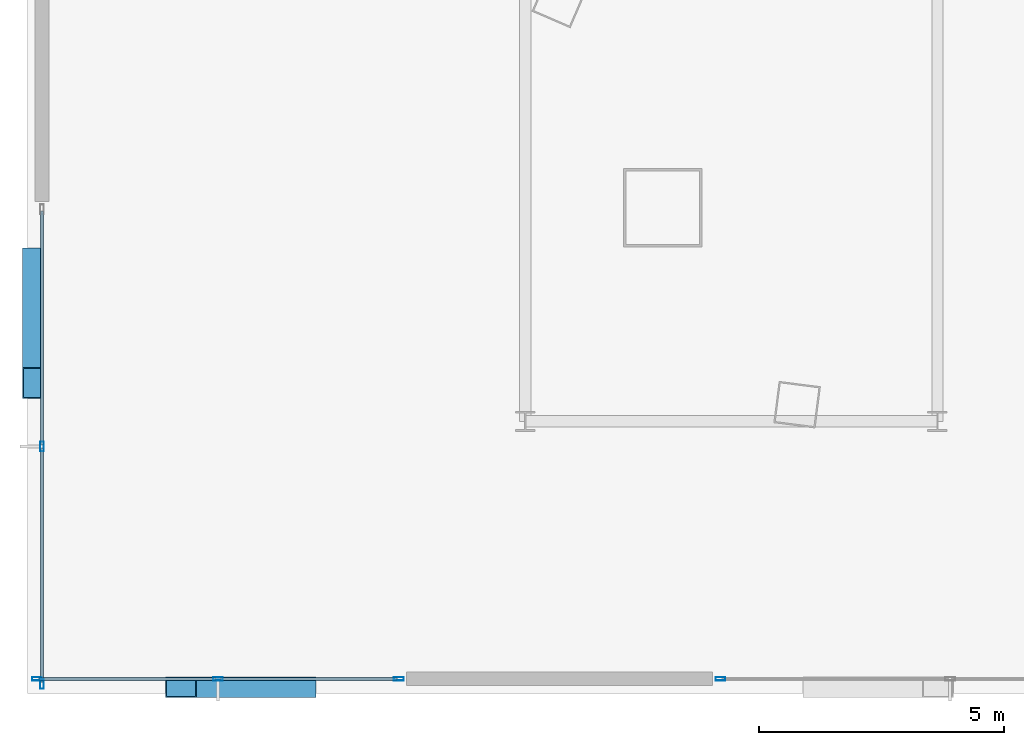
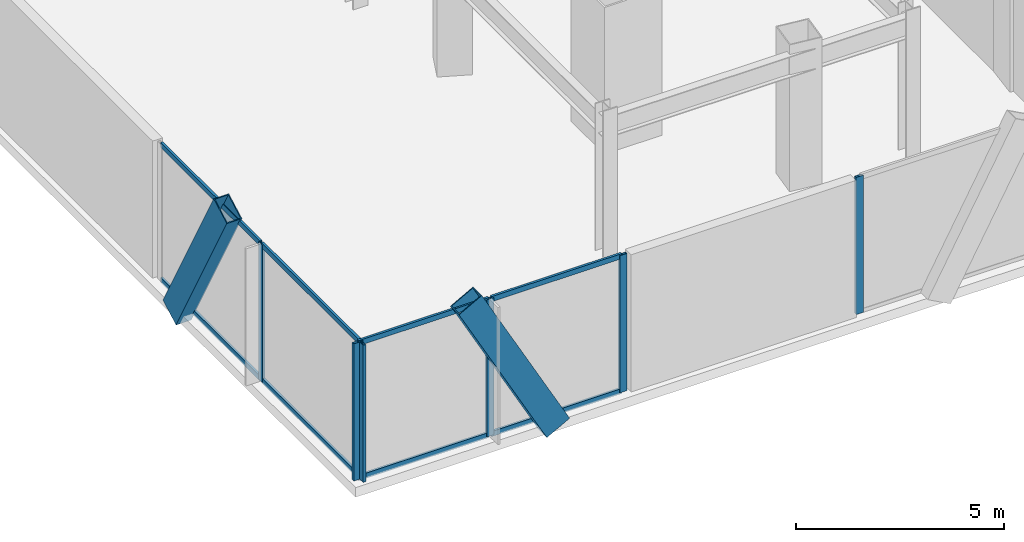
# One storey, part 5 of 42: 16 members, 3 elements without a shape of their own.
"""IFC4 building model written with IfcOpenShell, lengths in metres."""

from ifc_helpers import new_model, si_unit, direction, frame, origin, origin_2d, place, context, subcontext, project, spatial, hollow_rectangle, extrude, material, layer, layer_set, material_profile, profile_set, type_object, element, aggregate, save


model = new_model("IFC4")

# Units and contexts
model_context = context("Model", 3, precision=1e-05, world=origin(), true_north=direction((0.0, 1.0)))
body_context = subcontext(model_context, "Body", "Model", "MODEL_VIEW")
ifc_project = project(units=[si_unit("LENGTHUNIT", "METRE"), si_unit("AREAUNIT", "SQUARE_METRE"), si_unit("VOLUMEUNIT", "CUBIC_METRE"), si_unit("PLANEANGLEUNIT", "RADIAN"), si_unit("MASSUNIT", "GRAM", prefix="KILO")], contexts=[model_context])

# Site, building, storey
site_placement = place(None, origin())
site = spatial("IfcSite", under=ifc_project, at=site_placement, CompositionType="ELEMENT")
building_placement = place(site_placement, origin())
building = spatial("IfcBuilding", under=site, at=building_placement, Name="Orvanel Arch Residences", CompositionType="ELEMENT")
storey_placement = place(building_placement, frame((0.0, 0.0, 9.800048828125)))
storey = spatial("IfcBuildingStorey", under=building, at=storey_placement, Name="L02", CompositionType="ELEMENT", Elevation=9.800048828125)

# Members
ifc_material_1 = material(Name="Structural steel AS/NZS 3678 Grade 350", Category="steel")
ifc_material_profile_1 = material_profile(ifc_material_1, hollow_rectangle(XDim=0.419921875, YDim=0.719970703125, WallThickness=0.02490234375, at=origin_2d()), Name="RHS720x420x25")
ifc_profile_set_1 = profile_set([ifc_material_profile_1], Name="Structural steel AS/NZS 3678 Grade 350")
member_type_1 = type_object("IfcMemberType", Name="BR-720RHS-EXT", PredefinedType="BRACE", material=ifc_profile_set_1)
for number, where, z_axis, x_axis, name in (
    (1, (6.819091796875, 0.580078125, -0.150146484375), (-0.480018403674, 0.0, 0.877258418104), (0.0, -1.0, 0.0), "L02 Podium Multi-Storey V-Strut Pair SW Leg 1"),
    (2, (1.360107421875, 9.218994140625, -0.150146484375), (0.0, -0.480018403674, 0.877258418104), (1.0, 0.0, 0.0), "L02 Podium Multi-Storey V-Strut Pair W1 Leg 1"),
):
    element("IfcMember", number, at=place(storey_placement, frame(where, z_axis=z_axis, x_axis=x_axis)), inside=storey, type_object=member_type_1, Name=name, PredefinedType="BRACE", context=body_context, shape_type="SweptSolid", body=[
        extrude(hollow_rectangle(XDim=0.419921875, YDim=0.719970703125, WallThickness=0.02490234375, at=origin_2d()), origin(), (0.0, 0.0, 1.0), 5.07275390625),
    ])

# Curtain wall, members
ifc_material_2 = material(Name="Bronze-anodised aluminium AA6063-T6", Category="aluminium")
ifc_layer = layer(ifc_material_2, 0.199951171875)
ifc_layer_set = layer_set([ifc_layer], Name="Bronze-anodised aluminium AA6063-T6")
curtain_wall_type = type_object("IfcCurtainWallType", Name="CW1-POD-SYS", PredefinedType="NOTDEFINED", material=ifc_layer_set)
curtain_wall_1_placement = place(storey_placement, origin())
curtain_wall_1 = element("IfcCurtainWall", 3, at=curtain_wall_1_placement, inside=storey, type_object=curtain_wall_type, Name="L02 CW1-POD-SYS Unitised Curtain Wall", PredefinedType="NOTDEFINED")
ifc_material_profile_2 = material_profile(ifc_material_2, hollow_rectangle(XDim=0.074951171875, YDim=0.199951171875, WallThickness=0.0048828125, at=origin_2d()), Name="ALU200x75x5")
ifc_profile_set_2 = profile_set([ifc_material_profile_2], Name="Bronze-anodised aluminium AA6063-T6")
member_type_2 = type_object("IfcMemberType", Name="MUL-200x75", PredefinedType="MULLION", material=ifc_profile_set_2)
member_1_placement = place(storey_placement, frame((1.447509765625, 0.75, 0.0), z_axis=(0.0, 0.0, 1.0), x_axis=(0.0, 1.0, 0.0)))
member_1 = element("IfcMember", 4, at=member_1_placement, type_object=member_type_2, Name="CW-S1 mullion 1", PredefinedType="MULLION", context=body_context, shape_type="SweptSolid", body=[
    extrude(hollow_rectangle(XDim=0.074951171875, YDim=0.199951171875, WallThickness=0.0048828125, at=origin_2d()), origin(), (0.0, 0.0, 1.0), 4.02001953125),
])
member_2_placement = place(storey_placement, frame((5.135009765625, 0.75, 0.0), z_axis=(0.0, 0.0, 1.0), x_axis=(0.0, 1.0, 0.0)))
member_2 = element("IfcMember", 5, at=member_2_placement, type_object=member_type_2, Name="CW-S1 mullion 2", PredefinedType="MULLION", context=body_context, shape_type="SweptSolid", body=[
    extrude(hollow_rectangle(XDim=0.074951171875, YDim=0.199951171875, WallThickness=0.0048828125, at=origin_2d()), origin(), (0.0, 0.0, 1.0), 4.02001953125),
])
member_3_placement = place(storey_placement, frame((8.822509765625, 0.75, 0.0), z_axis=(0.0, 0.0, 1.0), x_axis=(0.0, 1.0, 0.0)))
member_3 = element("IfcMember", 6, at=member_3_placement, type_object=member_type_2, Name="CW-S1 mullion 3", PredefinedType="MULLION", context=body_context, shape_type="SweptSolid", body=[
    extrude(hollow_rectangle(XDim=0.074951171875, YDim=0.199951171875, WallThickness=0.0048828125, at=origin_2d()), origin(), (0.0, 0.0, 1.0), 4.02001953125),
])

# Curtain wall, member
curtain_wall_2_placement = place(storey_placement, origin())
curtain_wall_2 = element("IfcCurtainWall", 7, at=curtain_wall_2_placement, inside=storey, type_object=curtain_wall_type, Name="L02 CW1-POD-SYS Unitised Curtain Wall", PredefinedType="NOTDEFINED")
member_4_placement = place(storey_placement, frame((15.37744140625, 0.75, 0.0), z_axis=(0.0, 0.0, 1.0), x_axis=(0.0, 1.0, 0.0)))
member_4 = element("IfcMember", 8, at=member_4_placement, type_object=member_type_2, Name="CW-S1 mullion 1", PredefinedType="MULLION", context=body_context, shape_type="SweptSolid", body=[
    extrude(hollow_rectangle(XDim=0.074951171875, YDim=0.199951171875, WallThickness=0.0048828125, at=origin_2d()), origin(), (0.0, 0.0, 1.0), 4.02001953125),
])
aggregate(curtain_wall_2, [member_4])

# Curtain wall, members
curtain_wall_3_placement = place(storey_placement, origin())
curtain_wall_3 = element("IfcCurtainWall", 9, at=curtain_wall_3_placement, inside=storey, type_object=curtain_wall_type, Name="L02 CW1-POD-SYS Unitised Curtain Wall", PredefinedType="NOTDEFINED")
member_5_placement = place(storey_placement, frame((1.550048828125, 5.485107421875, 0.0), z_axis=(0.0, 0.0, 1.0), x_axis=(1.0, 0.0, 0.0)))
member_5 = element("IfcMember", 10, at=member_5_placement, type_object=member_type_2, Name="CW-S1 mullion 2", PredefinedType="MULLION", context=body_context, shape_type="SweptSolid", body=[
    extrude(hollow_rectangle(XDim=0.074951171875, YDim=0.199951171875, WallThickness=0.0048828125, at=origin_2d()), origin(), (0.0, 0.0, 1.0), 4.02001953125),
])
member_6_placement = place(storey_placement, frame((1.550048828125, 0.6474609375, 0.0), z_axis=(0.0, 0.0, 1.0), x_axis=(1.0, 0.0, 0.0)))
member_6 = element("IfcMember", 11, at=member_6_placement, type_object=member_type_2, Name="CW-S1 mullion 3", PredefinedType="MULLION", context=body_context, shape_type="SweptSolid", body=[
    extrude(hollow_rectangle(XDim=0.074951171875, YDim=0.199951171875, WallThickness=0.0048828125, at=origin_2d()), origin(), (0.0, 0.0, 1.0), 4.02001953125),
])

# Member
ifc_material_profile_3 = material_profile(ifc_material_2, hollow_rectangle(XDim=0.06494140625, YDim=0.14990234375, WallThickness=0.00390625, at=origin_2d()), Name="ALU150x65x4")
ifc_profile_set_3 = profile_set([ifc_material_profile_3], Name="Bronze-anodised aluminium AA6063-T6")
member_type_3 = type_object("IfcMemberType", Name="TRN-150x65", PredefinedType="USERDEFINED", material=ifc_profile_set_3)
member_7_placement = place(storey_placement, frame((1.485107421875, 0.75, 0.032470703125), z_axis=(1.0, 0.0, 0.0), x_axis=(0.0, 1.0, 0.0)))
member_7 = element("IfcMember", 12, at=member_7_placement, type_object=member_type_3, Name="CW-S1 transom 1.1", ObjectType="TRANSOM", PredefinedType="USERDEFINED", context=body_context, shape_type="SweptSolid", body=[
    extrude(hollow_rectangle(XDim=0.06494140625, YDim=0.14990234375, WallThickness=0.00390625, at=origin_2d()), origin(), (0.0, 0.0, 1.0), 3.6123046875),
])

member_8_placement = place(storey_placement, frame((1.485107421875, 0.75, 3.987548828125), z_axis=(1.0, 0.0, 0.0), x_axis=(0.0, 1.0, 0.0)))
member_8 = element("IfcMember", 13, at=member_8_placement, type_object=member_type_3, Name="CW-S1 transom 1.2", ObjectType="TRANSOM", PredefinedType="USERDEFINED", context=body_context, shape_type="SweptSolid", body=[
    extrude(hollow_rectangle(XDim=0.06494140625, YDim=0.14990234375, WallThickness=0.00390625, at=origin_2d()), origin(), (0.0, 0.0, 1.0), 3.6123046875),
])

member_9_placement = place(storey_placement, frame((5.172607421875, 0.75, 0.032470703125), z_axis=(1.0, 0.0, 0.0), x_axis=(0.0, 1.0, 0.0)))
member_9 = element("IfcMember", 14, at=member_9_placement, type_object=member_type_3, Name="CW-S1 transom 2.1", ObjectType="TRANSOM", PredefinedType="USERDEFINED", context=body_context, shape_type="SweptSolid", body=[
    extrude(hollow_rectangle(XDim=0.06494140625, YDim=0.14990234375, WallThickness=0.00390625, at=origin_2d()), origin(), (0.0, 0.0, 1.0), 3.6123046875),
])

member_10_placement = place(storey_placement, frame((5.172607421875, 0.75, 3.987548828125), z_axis=(1.0, 0.0, 0.0), x_axis=(0.0, 1.0, 0.0)))
member_10 = element("IfcMember", 15, at=member_10_placement, type_object=member_type_3, Name="CW-S1 transom 2.2", ObjectType="TRANSOM", PredefinedType="USERDEFINED", context=body_context, shape_type="SweptSolid", body=[
    extrude(hollow_rectangle(XDim=0.06494140625, YDim=0.14990234375, WallThickness=0.00390625, at=origin_2d()), origin(), (0.0, 0.0, 1.0), 3.6123046875),
])

aggregate(curtain_wall_1, [member_1, member_2, member_3, member_7, member_8, member_9, member_10])

member_11_placement = place(storey_placement, frame((1.550048828125, 10.284912109375, 0.032470703125), z_axis=(0.0, -1.0, 0.0), x_axis=(1.0, 0.0, 0.0)))
member_11 = element("IfcMember", 16, at=member_11_placement, type_object=member_type_3, Name="CW-S1 transom 1.1", ObjectType="TRANSOM", PredefinedType="USERDEFINED", context=body_context, shape_type="SweptSolid", body=[
    extrude(hollow_rectangle(XDim=0.06494140625, YDim=0.14990234375, WallThickness=0.00390625, at=origin_2d()), origin(), (0.0, 0.0, 1.0), 4.762451171875),
])

member_12_placement = place(storey_placement, frame((1.550048828125, 10.284912109375, 3.987548828125), z_axis=(0.0, -1.0, 0.0), x_axis=(1.0, 0.0, 0.0)))
member_12 = element("IfcMember", 17, at=member_12_placement, type_object=member_type_3, Name="CW-S1 transom 1.2", ObjectType="TRANSOM", PredefinedType="USERDEFINED", context=body_context, shape_type="SweptSolid", body=[
    extrude(hollow_rectangle(XDim=0.06494140625, YDim=0.14990234375, WallThickness=0.00390625, at=origin_2d()), origin(), (0.0, 0.0, 1.0), 4.762451171875),
])

member_13_placement = place(storey_placement, frame((1.550048828125, 5.447509765625, 0.032470703125), z_axis=(0.0, -1.0, 0.0), x_axis=(1.0, 0.0, 0.0)))
member_13 = element("IfcMember", 18, at=member_13_placement, type_object=member_type_3, Name="CW-S1 transom 2.1", ObjectType="TRANSOM", PredefinedType="USERDEFINED", context=body_context, shape_type="SweptSolid", body=[
    extrude(hollow_rectangle(XDim=0.06494140625, YDim=0.14990234375, WallThickness=0.00390625, at=origin_2d()), origin(), (0.0, 0.0, 1.0), 4.762451171875),
])

member_14_placement = place(storey_placement, frame((1.550048828125, 5.447509765625, 3.987548828125), z_axis=(0.0, -1.0, 0.0), x_axis=(1.0, 0.0, 0.0)))
member_14 = element("IfcMember", 19, at=member_14_placement, type_object=member_type_3, Name="CW-S1 transom 2.2", ObjectType="TRANSOM", PredefinedType="USERDEFINED", context=body_context, shape_type="SweptSolid", body=[
    extrude(hollow_rectangle(XDim=0.06494140625, YDim=0.14990234375, WallThickness=0.00390625, at=origin_2d()), origin(), (0.0, 0.0, 1.0), 4.762451171875),
])

aggregate(curtain_wall_3, [member_5, member_6, member_11, member_12, member_13, member_14])

save(model, "model.ifc")
